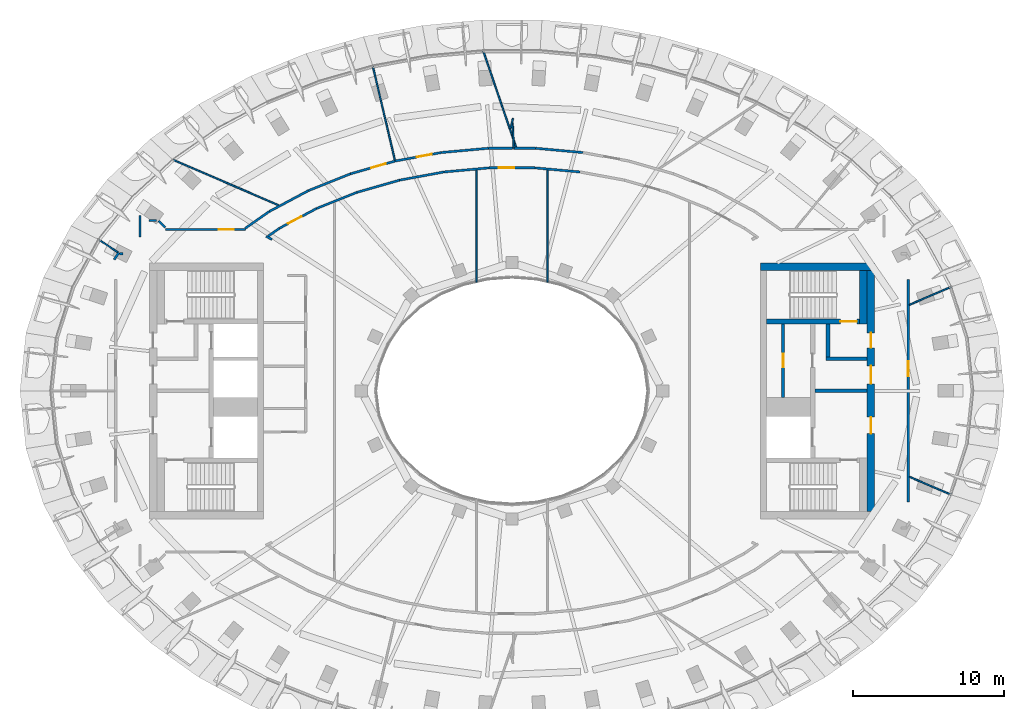
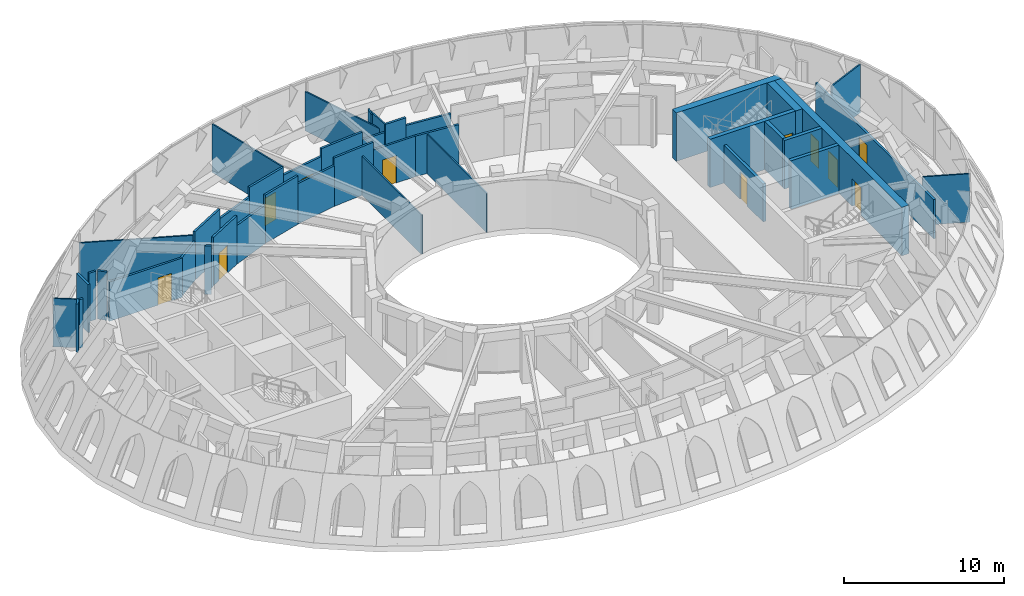
# One storey, part 5 of 13: 43 walls, 11 doors, 11 openings.
"""IFC4 building model written with IfcOpenShell, lengths in metres."""

from ifc_helpers import new_model, si_unit, direction, frame, frame_2d, origin, place, context, subcontext, project, spatial, rectangle, extrude, material, layer, layer_set, type_object, element, fill, save


model = new_model("IFC4")

# Units and contexts
model_context = context("Model", 3, precision=1e-05, world=origin(), true_north=direction((0.0, 1.0)))
body_context = subcontext(model_context, "Body", "Model", "MODEL_VIEW")
ifc_project = project(units=[si_unit("LENGTHUNIT", "METRE"), si_unit("AREAUNIT", "SQUARE_METRE"), si_unit("VOLUMEUNIT", "CUBIC_METRE"), si_unit("PLANEANGLEUNIT", "RADIAN"), si_unit("MASSUNIT", "GRAM", prefix="KILO")], contexts=[model_context])

# Site, building, storey
site_placement = place(None, origin())
site = spatial("IfcSite", under=ifc_project, at=site_placement, CompositionType="ELEMENT")
building_placement = place(site_placement, origin())
building = spatial("IfcBuilding", under=site, at=building_placement, Name="Noorbagh Ring Tower", CompositionType="ELEMENT")
storey_placement = place(building_placement, frame((0.0, 0.0, 347.0)))
storey = spatial("IfcBuildingStorey", under=building, at=storey_placement, Name="L76", CompositionType="ELEMENT", Elevation=347.0)

# Wall, opening, door
ifc_material_1 = material(Name="Gypsum board on steel studs", Category="steel")
ifc_layer_1 = layer(ifc_material_1, 0.199951171875)
ifc_layer_set_1 = layer_set([ifc_layer_1], Name="Gypsum board on steel studs")
wall_type_1 = type_object("IfcWallType", Name="CORE-PARTITION-200", PredefinedType="PARTITIONING", material=ifc_layer_set_1)
wall_1_placement = place(storey_placement, frame((18.0, -0.449951171875, 0.0), z_axis=(0.0, 0.0, 1.0), x_axis=(0.0, 1.0, 0.0)))
wall_1 = element("IfcWall", 1, at=wall_1_placement, inside=storey, type_object=wall_type_1, Name="Core partition E", PredefinedType="PARTITIONING", context=body_context, shape_type="SweptSolid", body=[
    extrude(rectangle(XDim=4.89990234375, YDim=0.199951171875, at=frame_2d((2.449951171875, 0.0))), origin(), (0.0, 0.0, 1.0), 2.89990234375),
])
opening_1_placement = place(wall_1_placement, frame((2.0, 0.0, 0.0)))
opening_1 = element("IfcOpeningElement", 2, at=opening_1_placement, cuts=wall_1, Name="Opening L76-CE08", PredefinedType="OPENING", context=body_context, shape_type="SweptSolid", body=[
    extrude(rectangle(XDim=0.89990234375, YDim=2.10009765625, at=frame_2d((0.449951171875, 1.050048828125))), frame((0.0, 0.10986328125, 0.0), z_axis=(0.0, -1.0, 0.0), x_axis=(1.0, 0.0, 0.0)), (0.0, 0.0, 1.0), 0.219970703125),
])
ifc_material_2 = material(Name="Steel door leaf", Category="steel")
door_type_1 = type_object("IfcDoorType", Name="CORE-DOOR-DROOM", OperationType="SINGLE_SWING_LEFT", PredefinedType="DOOR", material=ifc_material_2)
door_1_placement = place(opening_1_placement, origin())
door_1 = element("IfcDoor", 3, at=door_1_placement, inside=storey, type_object=door_type_1, Name="Core room door L76-CE08", OperationType="SINGLE_SWING_RIGHT", OverallHeight=2.10009765625, OverallWidth=0.89990234375, PredefinedType="DOOR", context=body_context, shape_type="SweptSolid", body=[
    extrude(rectangle(XDim=0.89990234375, YDim=2.10009765625, at=frame_2d((0.449951171875, 1.050048828125))), frame((0.0, 0.02490234375, 0.0), z_axis=(0.0, -1.0, 0.0), x_axis=(1.0, 0.0, 0.0)), (0.0, 0.0, 1.0), 0.050048828125),
])
fill(opening_1, door_1)

# Walls
ifc_material_3 = material(Name="Concrete C50/60", Category="concrete")
ifc_layer_2 = layer(ifc_material_3, 0.25)
ifc_layer_set_2 = layer_set([ifc_layer_2], Name="Concrete C50/60")
wall_type_2 = type_object("IfcWallType", Name="CORE-WALL-250-C50-60-EI240", PredefinedType="SHEAR", material=ifc_layer_set_2)
wall_2_placement = place(storey_placement, frame((20.10009765625, 0.0, 0.0), z_axis=(0.0, 0.0, 1.0), x_axis=(1.0, 0.0, 0.0)))
element("IfcWall", 4, at=wall_2_placement, inside=storey, type_object=wall_type_2, Name="Core wall E", PredefinedType="SHEAR", context=body_context, shape_type="SweptSolid", body=[
    extrude(rectangle(XDim=3.47998046875, YDim=0.25, at=frame_2d((1.739990234375, 0.0))), origin(), (0.0, 0.0, 1.0), 3.699951171875),
])
wall_3_placement = place(storey_placement, frame((20.85009765625, 2.125, 0.0), z_axis=(0.0, 0.0, 1.0), x_axis=(1.0, 0.0, 0.0)))
element("IfcWall", 5, at=wall_3_placement, inside=storey, type_object=wall_type_2, Name="Core wall E", PredefinedType="SHEAR", context=body_context, shape_type="SweptSolid", body=[
    extrude(rectangle(XDim=2.72998046875, YDim=0.25, at=frame_2d((1.364990234375, 0.0))), origin(), (0.0, 0.0, 1.0), 3.699951171875),
])
wall_4_placement = place(storey_placement, frame((20.97509765625, 2.25, 0.0), z_axis=(0.0, 0.0, 1.0), x_axis=(0.0, 1.0, 0.0)))
element("IfcWall", 6, at=wall_4_placement, inside=storey, type_object=wall_type_2, Name="Core wall E", PredefinedType="SHEAR", context=body_context, shape_type="SweptSolid", body=[
    extrude(rectangle(XDim=2.199951171875, YDim=0.25, at=frame_2d((1.10009765625, 0.0))), origin(), (0.0, 0.0, 1.0), 3.699951171875),
])

# Wall, opening, door
ifc_material_4 = material(Name="Concrete C50/60", Category="concrete")
ifc_layer_3 = layer(ifc_material_4, 0.300048828125)
ifc_layer_set_3 = layer_set([ifc_layer_3], Name="Concrete C50/60")
wall_type_3 = type_object("IfcWallType", Name="CORE-WALL-300-C50-60-EI240", PredefinedType="SHEAR", material=ifc_layer_set_3)
wall_5_placement = place(storey_placement, frame((16.89990234375, 4.60009765625, 0.0), z_axis=(0.0, 0.0, 1.0), x_axis=(1.0, 0.0, 0.0)))
wall_5 = element("IfcWall", 7, at=wall_5_placement, inside=storey, type_object=wall_type_3, Name="Core wall E", PredefinedType="SHEAR", context=body_context, shape_type="SweptSolid", body=[
    extrude(rectangle(XDim=6.18017578125, YDim=0.300048828125, at=frame_2d((3.090087890625, 0.0))), origin(), (0.0, 0.0, 1.0), 3.699951171875),
])
opening_2_placement = place(wall_5_placement, frame((4.89990234375, 0.0, 0.0)))
opening_2 = element("IfcOpeningElement", 8, at=opening_2_placement, cuts=wall_5, Name="Opening L76-CE02", PredefinedType="OPENING", context=body_context, shape_type="SweptSolid", body=[
    extrude(rectangle(XDim=1.10009765625, YDim=2.10009765625, at=frame_2d((0.550048828125, 1.050048828125))), frame((0.0, 0.16015625, 0.0), z_axis=(0.0, -1.0, 0.0), x_axis=(1.0, 0.0, 0.0)), (0.0, 0.0, 1.0), 0.320068359375),
])
ifc_material_5 = material(Name="Steel door leaf", Category="steel")
door_type_2 = type_object("IfcDoorType", Name="CORE-DOOR-DSTAIR", OperationType="SINGLE_SWING_LEFT", PredefinedType="DOOR", material=ifc_material_5)
door_2_placement = place(opening_2_placement, origin())
door_2 = element("IfcDoor", 9, at=door_2_placement, inside=storey, type_object=door_type_2, Name="Stair door ST3 L76-CE02", OperationType="SINGLE_SWING_LEFT", OverallHeight=2.10009765625, OverallWidth=1.10009765625, PredefinedType="DOOR", context=body_context, shape_type="SweptSolid", body=[
    extrude(rectangle(XDim=1.10009765625, YDim=2.10009765625, at=frame_2d((0.550048828125, 1.050048828125))), frame((0.0, 0.02490234375, 0.0), z_axis=(0.0, -1.0, 0.0), x_axis=(1.0, 0.0, 0.0)), (0.0, 0.0, 1.0), 0.050048828125),
])
fill(opening_2, door_2)

# Wall
ifc_material_6 = material(Name="Concrete C50/60", Category="concrete")
ifc_layer_4 = layer(ifc_material_6, 0.5)
ifc_layer_set_4 = layer_set([ifc_layer_4], Name="Concrete C50/60")
wall_type_4 = type_object("IfcWallType", Name="CORE-WALL-500-C50-60-EI240", PredefinedType="SHEAR", material=ifc_layer_set_4)
wall_6_placement = place(storey_placement, frame((16.5, 8.25, 0.0), z_axis=(0.0, 0.0, 1.0), x_axis=(1.0, 0.0, 0.0)))
element("IfcWall", 10, at=wall_6_placement, inside=storey, type_object=wall_type_4, Name="Core wall E", PredefinedType="SHEAR", context=body_context, shape_type="SweptSolid", body=[
    extrude(rectangle(XDim=7.580078125, YDim=0.5, at=frame_2d((3.7900390625, 0.0))), origin(), (0.0, 0.0, 1.0), 3.699951171875),
])

# Wall, openings, doors
wall_7_placement = place(storey_placement, frame((23.830078125, -8.0, 0.0), z_axis=(0.0, 0.0, 1.0), x_axis=(0.0, 1.0, 0.0)))
wall_7 = element("IfcWall", 11, at=wall_7_placement, inside=storey, type_object=wall_type_4, Name="Core wall E", PredefinedType="SHEAR", context=body_context, shape_type="SweptSolid", body=[
    extrude(rectangle(XDim=16.0, YDim=0.5, at=frame_2d((8.0, 0.0))), origin(), (0.0, 0.0, 1.0), 3.699951171875),
])
opening_3_placement = place(wall_7_placement, frame((5.14990234375, 0.0, 0.0)))
opening_3 = element("IfcOpeningElement", 12, at=opening_3_placement, cuts=wall_7, Name="Opening L76-CE04", PredefinedType="OPENING", context=body_context, shape_type="SweptSolid", body=[
    extrude(rectangle(XDim=1.10009765625, YDim=2.10009765625, at=frame_2d((0.550048828125, 1.050048828125))), frame((0.0, 0.260009765625, 0.0), z_axis=(0.0, -1.0, 0.0), x_axis=(1.0, 0.0, 0.0)), (0.0, 0.0, 1.0), 0.52001953125),
])
opening_4_placement = place(wall_7_placement, frame((10.85009765625, 0.0, 0.0)))
opening_4 = element("IfcOpeningElement", 13, at=opening_4_placement, cuts=wall_7, Name="Opening L76-CE05", PredefinedType="OPENING", context=body_context, shape_type="SweptSolid", body=[
    extrude(rectangle(XDim=1.0, YDim=2.10009765625, at=frame_2d((0.5, 1.050048828125))), frame((0.0, 0.260009765625, 0.0), z_axis=(0.0, -1.0, 0.0), x_axis=(1.0, 0.0, 0.0)), (0.0, 0.0, 1.0), 0.52001953125),
])
opening_5_placement = place(wall_7_placement, frame((8.4599609375, 0.0, 0.0)))
opening_5 = element("IfcOpeningElement", 14, at=opening_5_placement, cuts=wall_7, Name="Opening L76-CE06", PredefinedType="OPENING", context=body_context, shape_type="SweptSolid", body=[
    extrude(rectangle(XDim=1.199951171875, YDim=2.10009765625, at=frame_2d((0.60009765625, 1.050048828125))), frame((0.0, 0.260009765625, 0.0), z_axis=(0.0, -1.0, 0.0), x_axis=(1.0, 0.0, 0.0)), (0.0, 0.0, 1.0), 0.52001953125),
])
ifc_material_7 = material(Name="Steel door leaf", Category="steel")
door_type_3 = type_object("IfcDoorType", Name="CORE-DOOR-DFF", OperationType="SINGLE_SWING_LEFT", PredefinedType="DOOR", material=ifc_material_7)
door_3_placement = place(opening_3_placement, origin())
door_3 = element("IfcDoor", 15, at=door_3_placement, inside=storey, type_object=door_type_3, Name="Firefighting lobby door L76-CE04", OperationType="SINGLE_SWING_RIGHT", OverallHeight=2.10009765625, OverallWidth=1.10009765625, PredefinedType="DOOR", context=body_context, shape_type="SweptSolid", body=[
    extrude(rectangle(XDim=1.10009765625, YDim=2.10009765625, at=frame_2d((0.550048828125, 1.050048828125))), frame((0.0, 0.02490234375, 0.0), z_axis=(0.0, -1.0, 0.0), x_axis=(1.0, 0.0, 0.0)), (0.0, 0.0, 1.0), 0.050048828125),
])
fill(opening_3, door_3)
ifc_material_8 = material(Name="Steel door leaf", Category="steel")
door_type_4 = type_object("IfcDoorType", Name="CORE-DOOR-DVEST", OperationType="SINGLE_SWING_LEFT", PredefinedType="DOOR", material=ifc_material_8)
door_4_placement = place(opening_4_placement, origin())
door_4 = element("IfcDoor", 16, at=door_4_placement, inside=storey, type_object=door_type_4, Name="Stair vestibule door L76-CE05", OperationType="SINGLE_SWING_RIGHT", OverallHeight=2.10009765625, OverallWidth=1.0, PredefinedType="DOOR", context=body_context, shape_type="SweptSolid", body=[
    extrude(rectangle(XDim=1.0, YDim=2.10009765625, at=frame_2d((0.5, 1.050048828125))), frame((0.0, 0.02490234375, 0.0), z_axis=(0.0, -1.0, 0.0), x_axis=(1.0, 0.0, 0.0)), (0.0, 0.0, 1.0), 0.050048828125),
])
fill(opening_4, door_4)
ifc_material_9 = material(Name="Steel door leaf", Category="steel")
door_type_5 = type_object("IfcDoorType", Name="CORE-DOOR-PORT", OperationType="DOUBLE_DOOR_DOUBLE_SWING", PredefinedType="DOOR", material=ifc_material_9)
door_5_placement = place(opening_5_placement, origin())
door_5 = element("IfcDoor", 17, at=door_5_placement, inside=storey, type_object=door_type_5, Name="Core entrance door L76-CE06", OperationType="DOUBLE_DOOR_DOUBLE_SWING", OverallHeight=2.10009765625, OverallWidth=1.199951171875, PredefinedType="DOOR", context=body_context, shape_type="SweptSolid", body=[
    extrude(rectangle(XDim=1.199951171875, YDim=2.10009765625, at=frame_2d((0.60009765625, 1.050048828125))), frame((0.0, 0.02490234375, 0.0), z_axis=(0.0, -1.0, 0.0), x_axis=(1.0, 0.0, 0.0)), (0.0, 0.0, 1.0), 0.050048828125),
])
fill(opening_5, door_5)

# Walls
wall_8_placement = place(storey_placement, frame((23.330078125, 4.449951171875, 0.0), z_axis=(0.0, 0.0, 1.0), x_axis=(0.0, 1.0, 0.0)))
element("IfcWall", 18, at=wall_8_placement, inside=storey, type_object=wall_type_4, Name="Core wall E", PredefinedType="SHEAR", context=body_context, shape_type="SweptSolid", body=[
    extrude(rectangle(XDim=3.550048828125, YDim=0.5, at=frame_2d((1.77490234375, 0.0))), origin(), (0.0, 0.0, 1.0), 3.699951171875),
])
ifc_material_10 = material(Name="Gypsum board on steel studs", Category="steel")
ifc_layer_5 = layer(ifc_material_10, 0.14990234375)
ifc_layer_set_5 = layer_set([ifc_layer_5], Name="Gypsum board on steel studs")
wall_type_5 = type_object("IfcWallType", Name="CORRIDOR PARTITION 150 EI 30", PredefinedType="PARTITIONING", material=ifc_layer_set_5)
wall_9_placement = place(storey_placement, frame((-26.408935546875, 8.7099609375, 0.0), z_axis=(0.0, 0.0, 1.0), x_axis=(0.555907960912, 0.8312438505, 0.0)))
element("IfcWall", 19, at=wall_9_placement, inside=storey, type_object=wall_type_5, Name="L76/wall/P05", PredefinedType="PARTITIONING", context=body_context, shape_type="SweptSolid", body=[
    extrude(rectangle(XDim=0.5595703125, YDim=0.14990234375, at=frame_2d((0.27978515625, 0.0))), origin(), (0.0, 0.0, 1.0), 3.699951171875),
])
wall_10_placement = place(storey_placement, frame((-26.05810546875, 9.10009765625, 0.0), z_axis=(0.0, 0.0, 1.0), x_axis=(1.0, 0.0, 0.0)))
element("IfcWall", 20, at=wall_10_placement, inside=storey, type_object=wall_type_5, Name="L76/wall/P08", PredefinedType="PARTITIONING", context=body_context, shape_type="SweptSolid", body=[
    extrude(rectangle(XDim=0.251220703125, YDim=0.14990234375, at=frame_2d((0.12548828125, 0.0))), origin(), (0.0, 0.0, 1.0), 3.699951171875),
])
wall_11_placement = place(storey_placement, frame((-24.699951171875, 10.20703125, 0.0), z_axis=(0.0, 0.0, 1.0), x_axis=(0.0, 1.0, 0.0)))
element("IfcWall", 21, at=wall_11_placement, inside=storey, type_object=wall_type_5, Name="L76/wall/P10", PredefinedType="PARTITIONING", context=body_context, shape_type="SweptSolid", body=[
    extrude(rectangle(XDim=1.428955078125, YDim=0.14990234375, at=frame_2d((0.71435546875, 0.0))), origin(), (0.0, 0.0, 1.0), 3.699951171875),
])
wall_12_placement = place(storey_placement, frame((-24.10009765625, 11.300048828125, 0.0), z_axis=(0.0, 0.0, 1.0), x_axis=(1.0, 0.0, 0.0)))
element("IfcWall", 22, at=wall_12_placement, inside=storey, type_object=wall_type_5, Name="L76/wall/P12", PredefinedType="PARTITIONING", context=body_context, shape_type="SweptSolid", body=[
    extrude(rectangle(XDim=0.4931640625, YDim=0.14990234375, at=frame_2d((0.24658203125, 0.0))), origin(), (0.0, 0.0, 1.0), 3.699951171875),
])

# Wall, opening, door
wall_13_placement = place(storey_placement, frame((-22.992919921875, 10.699951171875, 0.0), z_axis=(0.0, 0.0, 1.0), x_axis=(1.0, 0.0, 0.0)))
wall_13 = element("IfcWall", 23, at=wall_13_placement, inside=storey, type_object=wall_type_5, Name="L76/wall/P14", PredefinedType="PARTITIONING", context=body_context, shape_type="SweptSolid", body=[
    extrude(rectangle(XDim=5.2919921875, YDim=0.14990234375, at=frame_2d((2.64599609375, 0.0))), origin(), (0.0, 0.0, 1.0), 3.0),
])
opening_6_placement = place(wall_13_placement, frame((3.510986328125, 0.0, 0.0)))
opening_6 = element("IfcOpeningElement", 24, at=opening_6_placement, cuts=wall_13, Name="Opening D1", PredefinedType="OPENING", context=body_context, shape_type="SweptSolid", body=[
    extrude(rectangle(XDim=1.0, YDim=2.10009765625, at=frame_2d((0.5, 1.050048828125))), frame((0.0, 0.0849609375, 0.0), z_axis=(0.0, -1.0, 0.0), x_axis=(1.0, 0.0, 0.0)), (0.0, 0.0, 1.0), 0.169921875),
])
ifc_material_11 = material(Name="Timber, painted", Category="wood")
door_type_6 = type_object("IfcDoorType", Name="DOOR 1000 X 2100 FD30", OperationType="SINGLE_SWING_LEFT", PredefinedType="DOOR", material=ifc_material_11)
door_6_placement = place(opening_6_placement, origin())
door_6 = element("IfcDoor", 25, at=door_6_placement, inside=storey, type_object=door_type_6, Name="L76-D09", OperationType="SINGLE_SWING_LEFT", OverallHeight=2.10009765625, OverallWidth=1.0, PredefinedType="DOOR", context=body_context, shape_type="SweptSolid", body=[
    extrude(rectangle(XDim=1.0, YDim=2.10009765625, at=frame_2d((0.5, 1.050048828125))), frame((0.0, 0.02490234375, 0.0), z_axis=(0.0, -1.0, 0.0), x_axis=(1.0, 0.0, 0.0)), (0.0, 0.0, 1.0), 0.050048828125),
])
fill(opening_6, door_6)

# Walls
wall_14_placement = place(storey_placement, frame((-17.72509765625, 10.77490234375, 0.0), z_axis=(0.0, 0.0, 1.0), x_axis=(0.819366063165, 0.573270664288, 0.0)))
element("IfcWall", 26, at=wall_14_placement, inside=storey, type_object=wall_type_5, Name="L76/wall/P18", PredefinedType="PARTITIONING", context=body_context, shape_type="SweptSolid", body=[
    extrude(rectangle(XDim=1.96630859375, YDim=0.14990234375, at=frame_2d((0.983154296875, 0.0))), origin(), (0.0, 0.0, 1.0), 2.949951171875),
])
wall_15_placement = place(storey_placement, frame((-16.33203125, 10.2548828125, 0.0), z_axis=(0.0, 0.0, 1.0), x_axis=(0.889126212235, -0.457662079178, 0.0)))
element("IfcWall", 27, at=wall_15_placement, inside=storey, type_object=wall_type_5, Name="L76/wall/P25", PredefinedType="PARTITIONING", context=body_context, shape_type="SweptSolid", body=[
    extrude(rectangle(XDim=0.45654296875, YDim=0.14990234375, at=frame_2d((0.228271484375, 0.0))), origin(), (0.0, 0.0, 1.0), 3.699951171875),
])
wall_16_placement = place(storey_placement, frame((-16.18701171875, 10.264892578125, 0.0), z_axis=(0.0, 0.0, 1.0), x_axis=(0.819555969789, 0.572999138204, 0.0)))
element("IfcWall", 28, at=wall_16_placement, inside=storey, type_object=wall_type_5, Name="L76/wall/P26", PredefinedType="PARTITIONING", context=body_context, shape_type="SweptSolid", body=[
    extrude(rectangle(XDim=0.919921875, YDim=0.14990234375, at=frame_2d((0.4599609375, 0.0))), origin(), (0.0, 0.0, 1.0), 2.949951171875),
])
wall_17_placement = place(storey_placement, frame((-16.114013671875, 11.902099609375, 0.0), z_axis=(0.0, 0.0, 1.0), x_axis=(0.882371338396, 0.470553738883, 0.0)))
element("IfcWall", 29, at=wall_17_placement, inside=storey, type_object=wall_type_5, Name="L76/wall/P28", PredefinedType="PARTITIONING", context=body_context, shape_type="SweptSolid", body=[
    extrude(rectangle(XDim=2.938720703125, YDim=0.14990234375, at=frame_2d((1.46923828125, 0.0))), origin(), (0.0, 0.0, 1.0), 3.699951171875),
])

# Wall, opening, door
wall_18_placement = place(storey_placement, frame((-15.43310546875, 10.7919921875, 0.0), z_axis=(0.0, 0.0, 1.0), x_axis=(0.882445003112, 0.470415578487, 0.0)))
wall_18 = element("IfcWall", 30, at=wall_18_placement, inside=storey, type_object=wall_type_5, Name="L76/wall/P30", PredefinedType="PARTITIONING", context=body_context, shape_type="SweptSolid", body=[
    extrude(rectangle(XDim=2.7890625, YDim=0.14990234375, at=frame_2d((1.39453125, 0.0))), origin(), (0.0, 0.0, 1.0), 3.699951171875),
])
opening_7_placement = place(wall_18_placement, frame((0.64990234375, 0.0, 0.0)))
opening_7 = element("IfcOpeningElement", 31, at=opening_7_placement, cuts=wall_18, Name="Opening D1", PredefinedType="OPENING", context=body_context, shape_type="SweptSolid", body=[
    extrude(rectangle(XDim=1.0, YDim=2.10009765625, at=frame_2d((0.5, 1.050048828125))), frame((0.0, 0.0849609375, 0.0), z_axis=(0.0, -1.0, 0.0), x_axis=(1.0, 0.0, 0.0)), (0.0, 0.0, 1.0), 0.169921875),
])
door_7_placement = place(opening_7_placement, origin())
door_7 = element("IfcDoor", 32, at=door_7_placement, inside=storey, type_object=door_type_6, Name="L76-D01", OperationType="SINGLE_SWING_LEFT", OverallHeight=2.10009765625, OverallWidth=1.0, PredefinedType="DOOR", context=body_context, shape_type="SweptSolid", body=[
    extrude(rectangle(XDim=1.0, YDim=2.10009765625, at=frame_2d((0.5, 1.050048828125))), frame((0.0, 0.02490234375, 0.0), z_axis=(0.0, -1.0, 0.0), x_axis=(1.0, 0.0, 0.0)), (0.0, 0.0, 1.0), 0.050048828125),
])
fill(opening_7, door_7)

# Walls
wall_19_placement = place(storey_placement, frame((-13.52099609375, 13.284912109375, 0.0), z_axis=(0.0, 0.0, 1.0), x_axis=(0.928710811389, 0.370804839248, 0.0)))
element("IfcWall", 33, at=wall_19_placement, inside=storey, type_object=wall_type_5, Name="L76/wall/P35", PredefinedType="PARTITIONING", context=body_context, shape_type="SweptSolid", body=[
    extrude(rectangle(XDim=3.01806640625, YDim=0.14990234375, at=frame_2d((1.509033203125, 0.0))), origin(), (0.0, 0.0, 1.0), 2.949951171875),
])
wall_20_placement = place(storey_placement, frame((-12.971923828125, 12.10400390625, 0.0), z_axis=(0.0, 0.0, 1.0), x_axis=(0.928576025609, 0.371142243168, 0.0)))
element("IfcWall", 34, at=wall_20_placement, inside=storey, type_object=wall_type_5, Name="L76/wall/P37", PredefinedType="PARTITIONING", context=body_context, shape_type="SweptSolid", body=[
    extrude(rectangle(XDim=2.880615234375, YDim=0.14990234375, at=frame_2d((1.4404296875, 0.0))), origin(), (0.0, 0.0, 1.0), 2.949951171875),
])

# Wall, opening, door
wall_21_placement = place(storey_placement, frame((-10.718017578125, 14.404052734375, 0.0), z_axis=(0.0, 0.0, 1.0), x_axis=(0.961382130139, 0.275217005013, 0.0)))
wall_21 = element("IfcWall", 35, at=wall_21_placement, inside=storey, type_object=wall_type_5, Name="L76/wall/P40", PredefinedType="PARTITIONING", context=body_context, shape_type="SweptSolid", body=[
    extrude(rectangle(XDim=3.055908203125, YDim=0.14990234375, at=frame_2d((1.52783203125, 0.0))), origin(), (0.0, 0.0, 1.0), 3.699951171875),
])
opening_8_placement = place(wall_21_placement, frame((1.425537109375, 0.0, 0.0)))
opening_8 = element("IfcOpeningElement", 36, at=opening_8_placement, cuts=wall_21, Name="Opening D1", PredefinedType="OPENING", context=body_context, shape_type="SweptSolid", body=[
    extrude(rectangle(XDim=1.0, YDim=2.10009765625, at=frame_2d((0.5, 1.050048828125))), frame((0.0, 0.0849609375, 0.0), z_axis=(0.0, -1.0, 0.0), x_axis=(1.0, 0.0, 0.0)), (0.0, 0.0, 1.0), 0.169921875),
])
door_8_placement = place(opening_8_placement, origin())
door_8 = element("IfcDoor", 37, at=door_8_placement, inside=storey, type_object=door_type_6, Name="L76-D11", OperationType="SINGLE_SWING_LEFT", OverallHeight=2.10009765625, OverallWidth=1.0, PredefinedType="DOOR", context=body_context, shape_type="SweptSolid", body=[
    extrude(rectangle(XDim=1.0, YDim=2.10009765625, at=frame_2d((0.5, 1.050048828125))), frame((0.0, 0.02490234375, 0.0), z_axis=(0.0, -1.0, 0.0), x_axis=(1.0, 0.0, 0.0)), (0.0, 0.0, 1.0), 0.050048828125),
])
fill(opening_8, door_8)

# Wall
wall_22_placement = place(storey_placement, frame((-10.297119140625, 13.173095703125, 0.0), z_axis=(0.0, 0.0, 1.0), x_axis=(0.961520822089, 0.274732067092, 0.0)))
element("IfcWall", 38, at=wall_22_placement, inside=storey, type_object=wall_type_5, Name="L76/wall/P42", PredefinedType="PARTITIONING", context=body_context, shape_type="SweptSolid", body=[
    extrude(rectangle(XDim=2.94775390625, YDim=0.14990234375, at=frame_2d((1.473876953125, 0.0))), origin(), (0.0, 0.0, 1.0), 3.699951171875),
])

# Wall, opening, door
wall_23_placement = place(storey_placement, frame((-7.760986328125, 15.25, 0.0), z_axis=(0.0, 0.0, 1.0), x_axis=(0.983356767642, 0.181685077905, 0.0)))
wall_23 = element("IfcWall", 39, at=wall_23_placement, inside=storey, type_object=wall_type_5, Name="L76/wall/P46", PredefinedType="PARTITIONING", context=body_context, shape_type="SweptSolid", body=[
    extrude(rectangle(XDim=3.11474609375, YDim=0.14990234375, at=frame_2d((1.557373046875, 0.0))), origin(), (0.0, 0.0, 1.0), 3.10009765625),
])
opening_9_placement = place(wall_23_placement, frame((1.46484375, 0.0, 0.0)))
opening_9 = element("IfcOpeningElement", 40, at=opening_9_placement, cuts=wall_23, Name="Opening D1", PredefinedType="OPENING", context=body_context, shape_type="SweptSolid", body=[
    extrude(rectangle(XDim=1.0, YDim=2.10009765625, at=frame_2d((0.5, 1.050048828125))), frame((0.0, 0.0849609375, 0.0), z_axis=(0.0, -1.0, 0.0), x_axis=(1.0, 0.0, 0.0)), (0.0, 0.0, 1.0), 0.169921875),
])
door_9_placement = place(opening_9_placement, origin())
door_9 = element("IfcDoor", 41, at=door_9_placement, inside=storey, type_object=door_type_6, Name="L76-D13", OperationType="SINGLE_SWING_LEFT", OverallHeight=2.10009765625, OverallWidth=1.0, PredefinedType="DOOR", context=body_context, shape_type="SweptSolid", body=[
    extrude(rectangle(XDim=1.0, YDim=2.10009765625, at=frame_2d((0.5, 1.050048828125))), frame((0.0, 0.02490234375, 0.0), z_axis=(0.0, -1.0, 0.0), x_axis=(1.0, 0.0, 0.0)), (0.0, 0.0, 1.0), 0.050048828125),
])
fill(opening_9, door_9)

# Walls
wall_24_placement = place(storey_placement, frame((-7.462890625, 13.98291015625, 0.0), z_axis=(0.0, 0.0, 1.0), x_axis=(0.983401893443, 0.181440667913, 0.0)))
element("IfcWall", 42, at=wall_24_placement, inside=storey, type_object=wall_type_5, Name="L76/wall/P48", PredefinedType="PARTITIONING", context=body_context, shape_type="SweptSolid", body=[
    extrude(rectangle(XDim=2.992431640625, YDim=0.14990234375, at=frame_2d((1.49609375, 0.0))), origin(), (0.0, 0.0, 1.0), 3.10009765625),
])
wall_25_placement = place(storey_placement, frame((-4.697998046875, 15.81591796875, 0.0), z_axis=(0.0, 0.0, 1.0), x_axis=(0.995918677146, 0.090255130116, 0.0)))
element("IfcWall", 43, at=wall_25_placement, inside=storey, type_object=wall_type_5, Name="L76/wall/P50", PredefinedType="PARTITIONING", context=body_context, shape_type="SweptSolid", body=[
    extrude(rectangle(XDim=3.1376953125, YDim=0.14990234375, at=frame_2d((1.56884765625, 0.0))), origin(), (0.0, 0.0, 1.0), 3.699951171875),
])
wall_26_placement = place(storey_placement, frame((-4.52001953125, 14.52587890625, 0.0), z_axis=(0.0, 0.0, 1.0), x_axis=(0.995895857898, 0.09050657557, 0.0)))
element("IfcWall", 44, at=wall_26_placement, inside=storey, type_object=wall_type_5, Name="L76/wall/P52", PredefinedType="PARTITIONING", context=body_context, shape_type="SweptSolid", body=[
    extrude(rectangle(XDim=3.0185546875, YDim=0.14990234375, at=frame_2d((1.50927734375, 0.0))), origin(), (0.0, 0.0, 1.0), 3.699951171875),
])
wall_27_placement = place(storey_placement, frame((-1.572998046875, 16.09912109375, 0.0), z_axis=(0.0, 0.0, 1.0), x_axis=(1.0, 0.0, 0.0)))
element("IfcWall", 45, at=wall_27_placement, inside=storey, type_object=wall_type_5, Name="L76/wall/P58", PredefinedType="PARTITIONING", context=body_context, shape_type="SweptSolid", body=[
    extrude(rectangle(XDim=1.614013671875, YDim=0.14990234375, at=frame_2d((0.80712890625, 0.0))), origin(), (0.0, 0.0, 1.0), 3.10009765625),
])

# Wall, opening, door
wall_28_placement = place(storey_placement, frame((-1.513916015625, 14.799072265625, 0.0), z_axis=(0.0, 0.0, 1.0), x_axis=(1.0, 0.0, 0.0)))
wall_28 = element("IfcWall", 46, at=wall_28_placement, inside=storey, type_object=wall_type_5, Name="L76/wall/P60", PredefinedType="PARTITIONING", context=body_context, shape_type="SweptSolid", body=[
    extrude(rectangle(XDim=3.02783203125, YDim=0.14990234375, at=frame_2d((1.513916015625, 0.0))), origin(), (0.0, 0.0, 1.0), 3.10009765625),
])
opening_10_placement = place(wall_28_placement, frame((0.64990234375, 0.0, 0.0)))
opening_10 = element("IfcOpeningElement", 47, at=opening_10_placement, cuts=wall_28, Name="Opening D1", PredefinedType="OPENING", context=body_context, shape_type="SweptSolid", body=[
    extrude(rectangle(XDim=1.0, YDim=2.10009765625, at=frame_2d((0.5, 1.050048828125))), frame((0.0, 0.0849609375, 0.0), z_axis=(0.0, -1.0, 0.0), x_axis=(1.0, 0.0, 0.0)), (0.0, 0.0, 1.0), 0.169921875),
])
door_10_placement = place(opening_10_placement, origin())
door_10 = element("IfcDoor", 48, at=door_10_placement, inside=storey, type_object=door_type_6, Name="L76-D23", OperationType="SINGLE_SWING_LEFT", OverallHeight=2.10009765625, OverallWidth=1.0, PredefinedType="DOOR", context=body_context, shape_type="SweptSolid", body=[
    extrude(rectangle(XDim=1.0, YDim=2.10009765625, at=frame_2d((0.5, 1.050048828125))), frame((0.0, 0.02490234375, 0.0), z_axis=(0.0, -1.0, 0.0), x_axis=(1.0, 0.0, 0.0)), (0.0, 0.0, 1.0), 0.050048828125),
])
fill(opening_10, door_10)

# Walls
wall_29_placement = place(storey_placement, frame((0.115966796875, 16.09912109375, 0.0), z_axis=(0.0, 0.0, 1.0), x_axis=(1.0, 0.0, 0.0)))
element("IfcWall", 49, at=wall_29_placement, inside=storey, type_object=wall_type_5, Name="L76/wall/P66", PredefinedType="PARTITIONING", context=body_context, shape_type="SweptSolid", body=[
    extrude(rectangle(XDim=1.45703125, YDim=0.14990234375, at=frame_2d((0.728515625, 0.0))), origin(), (0.0, 0.0, 1.0), 3.699951171875),
])
wall_30_placement = place(storey_placement, frame((1.513916015625, 14.799072265625, 0.0), z_axis=(0.0, 0.0, 1.0), x_axis=(0.995895857898, -0.09050657557, 0.0)))
element("IfcWall", 50, at=wall_30_placement, inside=storey, type_object=wall_type_5, Name="L76/wall/P68", PredefinedType="PARTITIONING", context=body_context, shape_type="SweptSolid", body=[
    extrude(rectangle(XDim=3.0185546875, YDim=0.14990234375, at=frame_2d((1.50927734375, 0.0))), origin(), (0.0, 0.0, 1.0), 3.10009765625),
])
wall_31_placement = place(storey_placement, frame((1.572998046875, 16.09912109375, 0.0), z_axis=(0.0, 0.0, 1.0), x_axis=(0.995918677146, -0.090255130116, 0.0)))
element("IfcWall", 51, at=wall_31_placement, inside=storey, type_object=wall_type_5, Name="L76/wall/P70", PredefinedType="PARTITIONING", context=body_context, shape_type="SweptSolid", body=[
    extrude(rectangle(XDim=3.1376953125, YDim=0.14990234375, at=frame_2d((1.56884765625, 0.0))), origin(), (0.0, 0.0, 1.0), 3.10009765625),
])

# Wall, opening, door
wall_32_placement = place(storey_placement, frame((26.300048828125, -7.39306640625, 0.0), z_axis=(0.0, 0.0, 1.0), x_axis=(0.0, 1.0, 0.0)))
wall_32 = element("IfcWall", 52, at=wall_32_placement, inside=storey, type_object=wall_type_5, Name="L76/wall/P110", PredefinedType="PARTITIONING", context=body_context, shape_type="SweptSolid", body=[
    extrude(rectangle(XDim=14.779052734375, YDim=0.14990234375, at=frame_2d((7.3896484375, 0.0))), origin(), (0.0, 0.0, 1.0), 3.0),
])
opening_11_placement = place(wall_32_placement, frame((8.35888671875, 0.0, 0.0)))
opening_11 = element("IfcOpeningElement", 53, at=opening_11_placement, cuts=wall_32, Name="Opening D1", PredefinedType="OPENING", context=body_context, shape_type="SweptSolid", body=[
    extrude(rectangle(XDim=1.0, YDim=2.10009765625, at=frame_2d((0.5, 1.050048828125))), frame((0.0, 0.0849609375, 0.0), z_axis=(0.0, -1.0, 0.0), x_axis=(1.0, 0.0, 0.0)), (0.0, 0.0, 1.0), 0.169921875),
])
door_11_placement = place(opening_11_placement, origin())
door_11 = element("IfcDoor", 54, at=door_11_placement, inside=storey, type_object=door_type_6, Name="L76-D20", OperationType="SINGLE_SWING_RIGHT", OverallHeight=2.10009765625, OverallWidth=1.0, PredefinedType="DOOR", context=body_context, shape_type="SweptSolid", body=[
    extrude(rectangle(XDim=1.0, YDim=2.10009765625, at=frame_2d((0.5, 1.050048828125))), frame((0.0, 0.02490234375, 0.0), z_axis=(0.0, -1.0, 0.0), x_axis=(1.0, 0.0, 0.0)), (0.0, 0.0, 1.0), 0.050048828125),
])
fill(opening_11, door_11)

# Walls
wall_33_placement = place(storey_placement, frame((-23.4580078125, 11.280029296875, 0.0), z_axis=(0.0, 0.0, 1.0), x_axis=(0.70551060944, -0.708699357957, 0.0)))
element("IfcWall", 55, at=wall_33_placement, inside=storey, type_object=wall_type_5, Name="L76/wall/P114", PredefinedType="PARTITIONING", context=body_context, shape_type="SweptSolid", body=[
    extrude(rectangle(XDim=0.612548828125, YDim=0.14990234375, at=frame_2d((0.30615234375, 0.0))), origin(), (0.0, 0.0, 1.0), 3.699951171875),
])
ifc_material_12 = material(Name="Gypsum board on steel studs", Category="steel")
ifc_layer_6 = layer(ifc_material_12, 0.10009765625)
ifc_layer_set_6 = layer_set([ifc_layer_6], Name="Gypsum board on steel studs")
wall_type_6 = type_object("IfcWallType", Name="PARTITION 100 GYPSUM", PredefinedType="PARTITIONING", material=ifc_layer_set_6)
wall_34_placement = place(storey_placement, frame((-27.412109375, 10.027099609375, 0.0), z_axis=(0.0, 0.0, 1.0), x_axis=(0.832245757536, -0.554406889445, 0.0)))
element("IfcWall", 56, at=wall_34_placement, inside=storey, type_object=wall_type_6, Name="L76/wall/P03", PredefinedType="PARTITIONING", context=body_context, shape_type="SweptSolid", body=[
    extrude(rectangle(XDim=1.536865234375, YDim=0.10009765625, at=frame_2d((0.7685546875, 0.0))), origin(), (0.0, 0.0, 1.0), 3.699951171875),
])
wall_35_placement = place(storey_placement, frame((-22.471923828125, 15.321044921875, 0.0), z_axis=(0.0, 0.0, 1.0), x_axis=(0.918555554777, -0.395291908326, 0.0)))
element("IfcWall", 57, at=wall_35_placement, inside=storey, type_object=wall_type_6, Name="L76/wall/P15", PredefinedType="PARTITIONING", context=body_context, shape_type="SweptSolid", body=[
    extrude(rectangle(XDim=7.5966796875, YDim=0.10009765625, at=frame_2d((3.79833984375, 0.0))), origin(), (0.0, 0.0, 1.0), 3.0),
])
wall_36_placement = place(storey_placement, frame((-9.236083984375, 21.537109375, 0.0), z_axis=(0.0, 0.0, 1.0), x_axis=(0.228410954029, -0.973564808361, 0.0)))
element("IfcWall", 58, at=wall_36_placement, inside=storey, type_object=wall_type_6, Name="L76/wall/P44", PredefinedType="PARTITIONING", context=body_context, shape_type="SweptSolid", body=[
    extrude(rectangle(XDim=6.453857421875, YDim=0.10009765625, at=frame_2d((3.22705078125, 0.0))), origin(), (0.0, 0.0, 1.0), 3.699951171875),
])
wall_37_placement = place(storey_placement, frame((-2.35693359375, 7.2099609375, 0.0), z_axis=(0.0, 0.0, 1.0), x_axis=(0.0, 1.0, 0.0)))
element("IfcWall", 59, at=wall_37_placement, inside=storey, type_object=wall_type_6, Name="L76/wall/P54", PredefinedType="PARTITIONING", context=body_context, shape_type="SweptSolid", body=[
    extrude(rectangle(XDim=7.43310546875, YDim=0.10009765625, at=frame_2d((3.716552734375, 0.0))), origin(), (0.0, 0.0, 1.0), 3.0),
])
wall_38_placement = place(storey_placement, frame((-1.906982421875, 22.5419921875, 0.0), z_axis=(0.0, 0.0, 1.0), x_axis=(0.323276276953, -0.946304627887, 0.0)))
element("IfcWall", 60, at=wall_38_placement, inside=storey, type_object=wall_type_6, Name="L76/wall/P56", PredefinedType="PARTITIONING", context=body_context, shape_type="SweptSolid", body=[
    extrude(rectangle(XDim=6.72509765625, YDim=0.10009765625, at=frame_2d((3.362548828125, 0.0))), origin(), (0.0, 0.0, 1.0), 3.0),
])
wall_39_placement = place(storey_placement, frame((-0.096923828125, 17.40087890625, 0.0), z_axis=(0.0, 0.0, 1.0), x_axis=(0.228633223788, 0.973512634217, 0.0)))
element("IfcWall", 61, at=wall_39_placement, inside=storey, type_object=wall_type_6, Name="L76/wall/P62", PredefinedType="PARTITIONING", context=body_context, shape_type="SweptSolid", body=[
    extrude(rectangle(XDim=0.70361328125, YDim=0.10009765625, at=frame_2d((0.351806640625, 0.0))), origin(), (0.0, 0.0, 1.0), 3.699951171875),
])
wall_40_placement = place(storey_placement, frame((0.0400390625, 17.802978515625, 0.0), z_axis=(0.0, 0.0, 1.0), x_axis=(0.044256738599, -0.999020190531, 0.0)))
element("IfcWall", 62, at=wall_40_placement, inside=storey, type_object=wall_type_6, Name="L76/wall/P64", PredefinedType="PARTITIONING", context=body_context, shape_type="SweptSolid", body=[
    extrude(rectangle(XDim=1.693603515625, YDim=0.10009765625, at=frame_2d((0.8466796875, 0.0))), origin(), (0.0, 0.0, 1.0), 3.699951171875),
])
wall_41_placement = place(storey_placement, frame((2.35693359375, 7.2099609375, 0.0), z_axis=(0.0, 0.0, 1.0), x_axis=(0.0, 1.0, 0.0)))
element("IfcWall", 63, at=wall_41_placement, inside=storey, type_object=wall_type_6, Name="L76/wall/P72", PredefinedType="PARTITIONING", context=body_context, shape_type="SweptSolid", body=[
    extrude(rectangle(XDim=7.43310546875, YDim=0.10009765625, at=frame_2d((3.716552734375, 0.0))), origin(), (0.0, 0.0, 1.0), 3.0),
])
for number, where, z_axis, x_axis, name in (
    (64, (26.37890625, -5.7080078125, 0.0), (0.0, 0.0, 1.0), (0.918524584495, -0.395363867442, 0.0), "L76/wall/P111"),
    (65, (26.37890625, 5.7080078125, 0.0), (0.0, 0.0, 1.0), (0.918524584495, 0.395363867442, 0.0), "L76/wall/P112"),
):
    element("IfcWall", number, at=place(storey_placement, frame(where, z_axis=z_axis, x_axis=x_axis)), inside=storey, type_object=wall_type_6, Name=name, PredefinedType="PARTITIONING", context=body_context, shape_type="SweptSolid", body=[
        extrude(rectangle(XDim=2.997314453125, YDim=0.10009765625, at=frame_2d((1.49853515625, 0.0))), origin(), (0.0, 0.0, 1.0), 3.699951171875),
    ])

save(model, "model.ifc")
